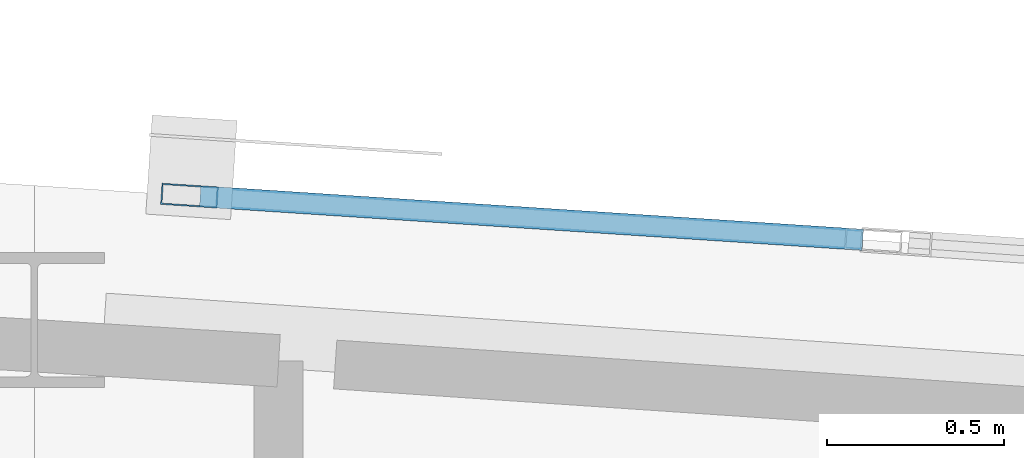
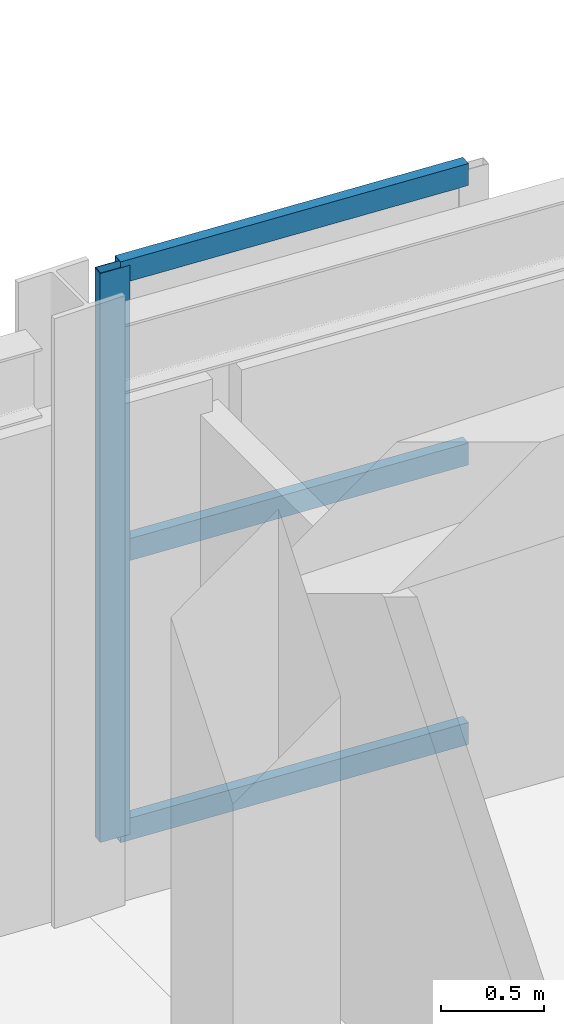
# One storey, part 22 of 45: 4 members, 1 element without a shape of its own.
"""IFC4 building model written with IfcOpenShell, lengths in metres."""

from ifc_helpers import new_model, si_unit, direction, frame, origin, origin_2d, place, context, subcontext, project, spatial, hollow_rectangle, extrude, material, layer, layer_set, material_profile, profile_set, type_object, element, aggregate, save


model = new_model("IFC4")

# Units and contexts
model_context = context("Model", 3, precision=1e-05, world=origin(), true_north=direction((0.0, 1.0)))
body_context = subcontext(model_context, "Body", "Model", "MODEL_VIEW")
ifc_project = project(units=[si_unit("LENGTHUNIT", "METRE"), si_unit("AREAUNIT", "SQUARE_METRE"), si_unit("VOLUMEUNIT", "CUBIC_METRE"), si_unit("PLANEANGLEUNIT", "RADIAN"), si_unit("MASSUNIT", "GRAM", prefix="KILO")], contexts=[model_context])

# Site, building, storey
site_placement = place(None, origin())
site = spatial("IfcSite", under=ifc_project, at=site_placement, CompositionType="ELEMENT")
building_placement = place(site_placement, origin())
building = spatial("IfcBuilding", under=site, at=building_placement, Name="Carrowvane Square Congress Hotel", CompositionType="ELEMENT")
storey_placement = place(building_placement, frame((0.0, 0.0, 33.60009765625)))
storey = spatial("IfcBuildingStorey", under=building, at=storey_placement, Name="L08", CompositionType="ELEMENT", Elevation=33.60009765625)

# Curtain wall, members
ifc_material_1 = material(Name="Anodised aluminium", Category="aluminium")
ifc_layer = layer(ifc_material_1, 0.23388671875)
ifc_layer_set = layer_set([ifc_layer], Name="Anodised aluminium")
curtain_wall_type = type_object("IfcCurtainWallType", Name="CW-SYS-7", PredefinedType="NOTDEFINED", material=ifc_layer_set)
curtain_wall_placement = place(storey_placement, origin())
curtain_wall = element("IfcCurtainWall", 1, at=curtain_wall_placement, inside=storey, type_object=curtain_wall_type, Name="L08 unitised curtain wall 494", PredefinedType="NOTDEFINED")
ifc_material_2 = material(Name="Anodised aluminium", Category="aluminium")
ifc_material_profile_1 = material_profile(ifc_material_2, hollow_rectangle(XDim=0.06005859375, YDim=0.159912109375, WallThickness=0.00390625, at=origin_2d()), Name="CW-ML 60x160x4")
ifc_profile_set_1 = profile_set([ifc_material_profile_1], Name="Anodised aluminium")
member_type_1 = type_object("IfcMemberType", Name="CW-MUL-1", PredefinedType="MULLION", material=ifc_profile_set_1)
member_1_placement = place(storey_placement, frame((127.23828125, 115.545654296875, 0.0), z_axis=(0.0, 0.0, 1.0), x_axis=(0.065413941589, 0.9978582145, 0.0)))
member_1 = element("IfcMember", 2, at=member_1_placement, type_object=member_type_1, Name="CW-7 mullion 1", PredefinedType="MULLION", context=body_context, shape_type="SweptSolid", body=[
    extrude(hollow_rectangle(XDim=0.06005859375, YDim=0.159912109375, WallThickness=0.00390625, at=origin_2d()), origin(), (0.0, 0.0, 1.0), 3.35986328125),
])
ifc_material_3 = material(Name="Anodised aluminium", Category="aluminium")
ifc_material_profile_2 = material_profile(ifc_material_3, hollow_rectangle(XDim=0.06005859375, YDim=0.1298828125, WallThickness=0.00390625, at=origin_2d()), Name="CW-TR 60x130x4")
ifc_profile_set_2 = profile_set([ifc_material_profile_2], Name="Anodised aluminium")
member_type_2 = type_object("IfcMemberType", Name="CW-TRN-1", PredefinedType="USERDEFINED", material=ifc_profile_set_2)
member_2_placement = place(storey_placement, frame((127.268310546875, 115.543701171875, 0.02978515625), z_axis=(0.997854858908, -0.065465109434, 0.0), x_axis=(0.065465109434, 0.997854858908, 0.0)))
member_2 = element("IfcMember", 3, at=member_2_placement, type_object=member_type_2, Name="CW-7 transom 1.1", ObjectType="TRANSOM", PredefinedType="USERDEFINED", context=body_context, shape_type="SweptSolid", body=[
    extrude(hollow_rectangle(XDim=0.06005859375, YDim=0.1298828125, WallThickness=0.00390625, at=origin_2d()), origin(), (0.0, 0.0, 1.0), 1.875732421875),
])
member_3_placement = place(storey_placement, frame((127.268310546875, 115.543701171875, 1.679931640625), z_axis=(0.997854858908, -0.065465109434, 0.0), x_axis=(0.065465109434, 0.997854858908, 0.0)))
member_3 = element("IfcMember", 4, at=member_3_placement, type_object=member_type_2, Name="CW-7 transom 1.2", ObjectType="TRANSOM", PredefinedType="USERDEFINED", context=body_context, shape_type="SweptSolid", body=[
    extrude(hollow_rectangle(XDim=0.06005859375, YDim=0.1298828125, WallThickness=0.00390625, at=origin_2d()), origin(), (0.0, 0.0, 1.0), 1.875732421875),
])
member_4_placement = place(storey_placement, frame((127.268310546875, 115.543701171875, 3.329833984375), z_axis=(0.997854858908, -0.065465109434, 0.0), x_axis=(0.065465109434, 0.997854858908, 0.0)))
member_4 = element("IfcMember", 5, at=member_4_placement, type_object=member_type_2, Name="CW-7 transom 1.3", ObjectType="TRANSOM", PredefinedType="USERDEFINED", context=body_context, shape_type="SweptSolid", body=[
    extrude(hollow_rectangle(XDim=0.06005859375, YDim=0.1298828125, WallThickness=0.00390625, at=origin_2d()), origin(), (0.0, 0.0, 1.0), 1.875732421875),
])
aggregate(curtain_wall, [member_1, member_2, member_3, member_4])

save(model, "model.ifc")
